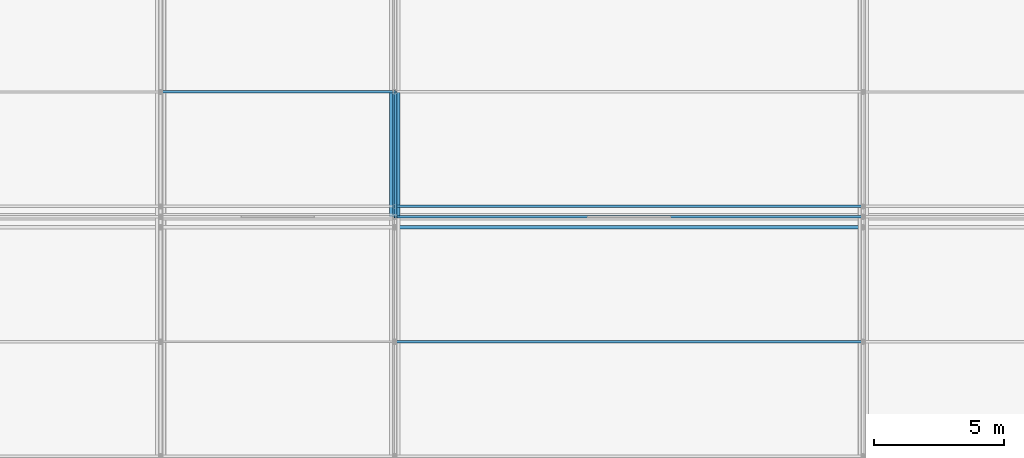
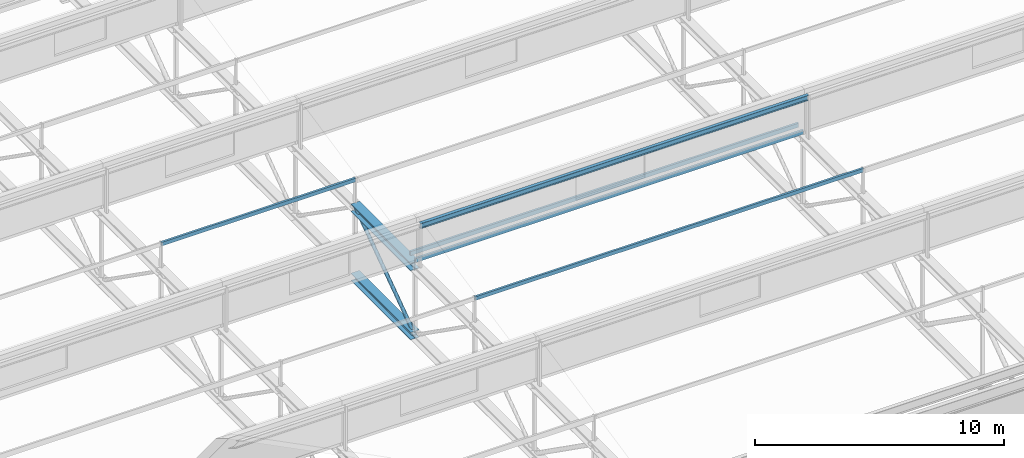
# One storey, part 35 of 136: 6 members, 2 beams.
"""IFC4 building model written with IfcOpenShell, lengths in metres."""

from ifc_helpers import new_model, si_unit, direction, frame, origin, origin_2d, place, context, subcontext, project, spatial, hollow_rectangle, hollow_circle, i_section, extrude, material, material_profile, profile_set, type_object, element, save


model = new_model("IFC4")

# Units and contexts
model_context = context("Model", 3, precision=1e-05, world=origin(), true_north=direction((0.0, 1.0)))
body_context = subcontext(model_context, "Body", "Model", "MODEL_VIEW")
ifc_project = project(units=[si_unit("LENGTHUNIT", "METRE"), si_unit("AREAUNIT", "SQUARE_METRE"), si_unit("VOLUMEUNIT", "CUBIC_METRE"), si_unit("PLANEANGLEUNIT", "RADIAN"), si_unit("MASSUNIT", "GRAM", prefix="KILO")], contexts=[model_context])

# Site, building, storey
site_placement = place(None, origin())
site = spatial("IfcSite", under=ifc_project, at=site_placement, CompositionType="ELEMENT")
building_placement = place(site_placement, origin())
building = spatial("IfcBuilding", under=site, at=building_placement, Name="Kisiwana Market Hall", CompositionType="ELEMENT")
storey_placement = place(building_placement, frame((0.0, 0.0, 16.800048828125)))
storey = spatial("IfcBuildingStorey", under=building, at=storey_placement, Name="L03", CompositionType="ELEMENT", Elevation=16.800048828125)

# Beams
ifc_material_1 = material(Name="Steel S355", Category="steel")
ifc_material_profile_1 = material_profile(ifc_material_1, i_section(OverallWidth=0.394775390625, OverallDepth=0.381103515625, WebThickness=0.018310546875, FlangeThickness=0.0302734375, at=origin_2d()), Name="UC 356x406x235")
ifc_profile_set_1 = profile_set([ifc_material_profile_1], Name="Steel S355")
beam_type_1 = type_object("IfcBeamType", Name="BM-TRUSS-BOT", PredefinedType="USERDEFINED", material=ifc_profile_set_1)
beam_1_placement = place(storey_placement, frame((117.0, 55.199951171875, 0.22998046875), z_axis=(0.0, 1.0, 0.0), x_axis=(-1.0, 0.0, 0.0)))
element("IfcBeam", 1, at=beam_1_placement, inside=storey, type_object=beam_type_1, Name="TR-06 BC panel 5 B-1282", ObjectType="ROOF TRUSS", PredefinedType="USERDEFINED", context=body_context, shape_type="SweptSolid", body=[
    extrude(i_section(OverallWidth=0.394775390625, OverallDepth=0.381103515625, WebThickness=0.018310546875, FlangeThickness=0.0302734375, at=origin_2d()), origin(), (0.0, 0.0, 1.0), 4.800048828125),
])
ifc_material_2 = material(Name="Steel S355", Category="steel")
ifc_material_profile_2 = material_profile(ifc_material_2, i_section(OverallWidth=0.39892578125, OverallDepth=0.3935546875, WebThickness=0.022705078125, FlangeThickness=0.03662109375, at=origin_2d()), Name="UC 356x406x287")
ifc_profile_set_2 = profile_set([ifc_material_profile_2], Name="Steel S355")
beam_type_2 = type_object("IfcBeamType", Name="BM-TRUSS-TOP", PredefinedType="USERDEFINED", material=ifc_profile_set_2)
beam_2_placement = place(storey_placement, frame((117.0, 55.199951171875, 3.619873046875), z_axis=(0.0, 1.0, 0.0), x_axis=(-1.0, 0.0, 0.0)))
element("IfcBeam", 2, at=beam_2_placement, inside=storey, type_object=beam_type_2, Name="TR-06 TC panel 5 B-1292", ObjectType="ROOF TRUSS", PredefinedType="USERDEFINED", context=body_context, shape_type="SweptSolid", body=[
    extrude(i_section(OverallWidth=0.39892578125, OverallDepth=0.3935546875, WebThickness=0.022705078125, FlangeThickness=0.03662109375, at=origin_2d()), origin(), (0.0, 0.0, 1.0), 4.800048828125),
])

# Members
ifc_material_3 = material(Name="Steel S355", Category="steel")
ifc_material_profile_3 = material_profile(ifc_material_3, hollow_rectangle(XDim=0.10009765625, YDim=0.179931640625, WallThickness=0.008056640625, at=origin_2d()), Name="RHS 180x100x8")
ifc_profile_set_3 = profile_set([ifc_material_profile_3], Name="Steel S355")
member_type_1 = type_object("IfcMemberType", Name="MB-PURL-RHS180", PredefinedType="PURLIN", material=ifc_profile_set_3)
member_1_placement = place(storey_placement, frame((117.0, 50.39990234375, 4.9462890625), z_axis=(1.0, 0.0, 0.0), x_axis=(0.0, 1.0, 0.0)))
element("IfcMember", 3, at=member_1_placement, inside=storey, type_object=member_type_1, Name="Sawtooth mid-slope roof purlin 29 M-0103", PredefinedType="PURLIN", context=body_context, shape_type="SweptSolid", body=[
    extrude(hollow_rectangle(XDim=0.10009765625, YDim=0.179931640625, WallThickness=0.008056640625, at=origin_2d()), origin(), (0.0, 0.0, 1.0), 18.0),
])
member_2_placement = place(storey_placement, frame((108.0, 60.0, 4.9462890625), z_axis=(1.0, 0.0, 0.0), x_axis=(0.0, 1.0, 0.0)))
element("IfcMember", 4, at=member_2_placement, inside=storey, type_object=member_type_1, Name="Sawtooth mid-slope roof purlin 41 M-0109", PredefinedType="PURLIN", context=body_context, shape_type="SweptSolid", body=[
    extrude(hollow_rectangle(XDim=0.10009765625, YDim=0.179931640625, WallThickness=0.008056640625, at=origin_2d()), origin(), (0.0, 0.0, 1.0), 9.0),
])
ifc_material_4 = material(Name="Steel S355", Category="steel")
ifc_material_profile_4 = material_profile(ifc_material_4, hollow_rectangle(XDim=0.10009765625, YDim=0.199951171875, WallThickness=0.008056640625, at=origin_2d()), Name="RHS 200x100x8.0")
ifc_profile_set_4 = profile_set([ifc_material_profile_4], Name="Steel S355")
member_type_2 = type_object("IfcMemberType", Name="MB-ROOF-PURLIN1", PredefinedType="PURLIN", material=ifc_profile_set_4)
for number, where, z_axis, x_axis, name in (
    (5, (117.0, 55.199951171875, 3.90087890625), (1.0, 0.0, 0.0), (0.0, 1.0, 0.0), "Sawtooth roof purlin 239 M-0164"),
    (6, (117.0, 55.60009765625, 4.0009765625), (1.0, 0.0, 0.0), (0.0, 1.0, 0.0), "Sawtooth roof purlin 282 M-0183"),
):
    element("IfcMember", number, at=place(storey_placement, frame(where, z_axis=z_axis, x_axis=x_axis)), inside=storey, type_object=member_type_2, Name=name, PredefinedType="PURLIN", context=body_context, shape_type="SweptSolid", body=[
        extrude(hollow_rectangle(XDim=0.10009765625, YDim=0.199951171875, WallThickness=0.008056640625, at=origin_2d()), origin(), (0.0, 0.0, 1.0), 18.0),
    ])
ifc_material_5 = material(Name="Steel S355", Category="steel")
ifc_material_profile_5 = material_profile(ifc_material_5, i_section(OverallWidth=0.146484375, OverallDepth=0.256103515625, WebThickness=0.00634765625, FlangeThickness=0.010986328125, at=origin_2d()), Name="UB 254x146x37")
ifc_profile_set_5 = profile_set([ifc_material_profile_5], Name="Steel S355")
member_type_3 = type_object("IfcMemberType", Name="MB-ROOF-PURLIN2", PredefinedType="PURLIN", material=ifc_profile_set_5)
member_3_placement = place(storey_placement, frame((117.0, 54.800048828125, 5.843505859375), z_axis=(1.0, 0.0, 0.0), x_axis=(0.0, 1.0, 0.0)))
element("IfcMember", 7, at=member_3_placement, inside=storey, type_object=member_type_3, Name="Sawtooth roof purlin 238 M-0163", PredefinedType="PURLIN", context=body_context, shape_type="SweptSolid", body=[
    extrude(i_section(OverallWidth=0.146484375, OverallDepth=0.256103515625, WebThickness=0.00634765625, FlangeThickness=0.010986328125, at=origin_2d()), origin(), (0.0, 0.0, 1.0), 18.0),
])
ifc_material_6 = material(Name="Steel S355", Category="steel")
ifc_material_profile_6 = material_profile(ifc_material_6, hollow_circle(Radius=0.084228515625, WallThickness=0.010009765625, at=origin_2d()), Name="CHS 168.3x10.0")
ifc_profile_set_6 = profile_set([ifc_material_profile_6], Name="Steel S355")
member_type_4 = type_object("IfcMemberType", Name="MB-TR-DIAG168", PredefinedType="BRACE", material=ifc_profile_set_6)
member_4_placement = place(storey_placement, frame((117.0, 55.199951171875, 0.22998046875), z_axis=(0.0, 0.816837735077, 0.576867501732), x_axis=(-1.0, 0.0, 0.0)))
element("IfcMember", 8, at=member_4_placement, inside=storey, type_object=member_type_4, Name="TR-06 diagonal 5 M-0435", PredefinedType="BRACE", context=body_context, shape_type="SweptSolid", body=[
    extrude(hollow_circle(Radius=0.084228515625, WallThickness=0.010009765625, at=origin_2d()), origin(), (0.0, 0.0, 1.0), 5.87646484375),
])

save(model, "model.ifc")
